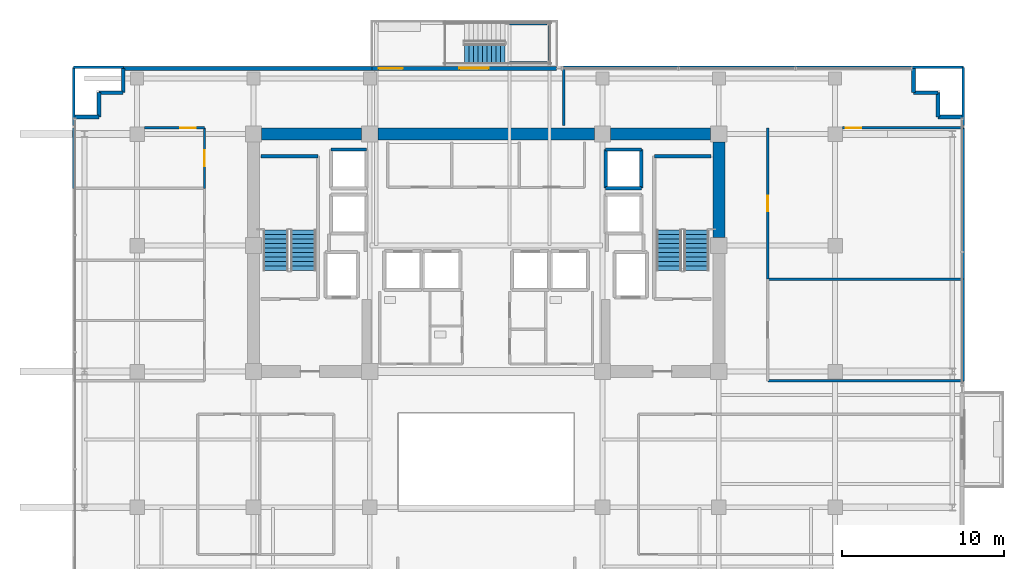
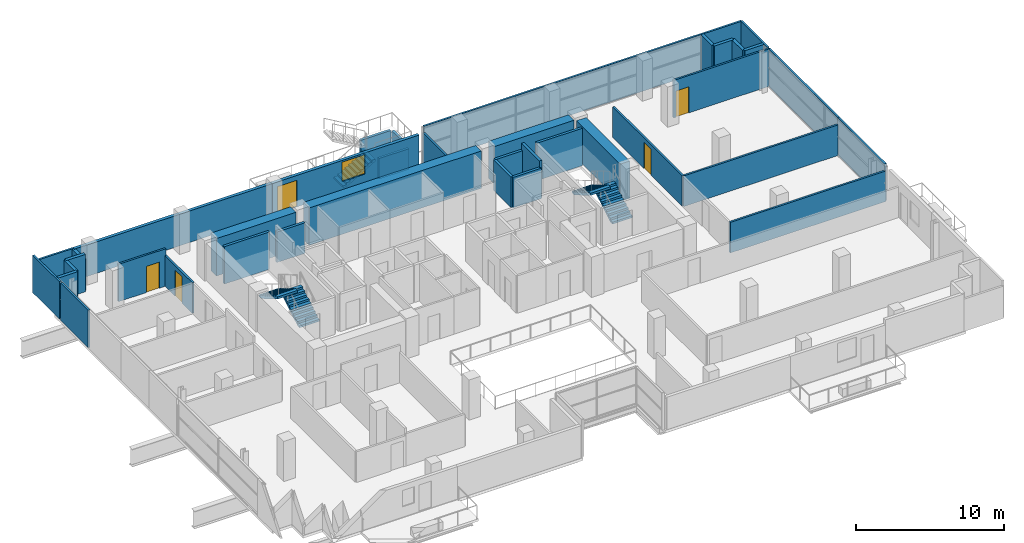
# One storey, part 21 of 27: 38 walls, 5 doors, 5 stair flights, 1 window, 6 openings, 3 elements without a shape of their own.
"""IFC4 building model written with IfcOpenShell, lengths in metres."""

from ifc_helpers import new_model, si_unit, direction, frame, frame_2d, origin, place, context, subcontext, project, spatial, polyline, rectangle, outline, extrude, source, transform, mapped, material, layer, layer_set, type_object, element, fill, aggregate, save


model = new_model("IFC4")

# Units and contexts
model_context = context("Model", 3, precision=1e-05, world=origin(), true_north=direction((0.0, 1.0)))
body_context = subcontext(model_context, "Body", "Model", "MODEL_VIEW")
ifc_project = project(units=[si_unit("LENGTHUNIT", "METRE"), si_unit("AREAUNIT", "SQUARE_METRE"), si_unit("VOLUMEUNIT", "CUBIC_METRE"), si_unit("PLANEANGLEUNIT", "RADIAN"), si_unit("MASSUNIT", "GRAM", prefix="KILO")], contexts=[model_context])

# Site, building, storey
site_placement = place(None, origin())
site = spatial("IfcSite", under=ifc_project, at=site_placement, CompositionType="ELEMENT")
building_placement = place(site_placement, origin())
building = spatial("IfcBuilding", under=site, at=building_placement, Name="Zarnakvel Exchange Tower", CompositionType="ELEMENT")
storey_placement = place(building_placement, frame((0.0, 0.0, 113.199951171875)))
storey = spatial("IfcBuildingStorey", under=building, at=storey_placement, Name="L31", CompositionType="ELEMENT", Elevation=113.199951171875)

# Walls
ifc_material_1 = material(Name="Concrete C60/75", Category="concrete")
ifc_layer_1 = layer(ifc_material_1, 0.75)
ifc_layer_set_1 = layer_set([ifc_layer_1], Name="Concrete C60/75")
wall_type_1 = type_object("IfcWallType", Name="CW-C3", PredefinedType="SHEAR", material=ifc_layer_set_1)
wall_1_placement = place(storey_placement, frame((-13.89990234375, 13.5, 0.0), z_axis=(0.0, 0.0, 1.0), x_axis=(1.0, 0.0, 0.0)))
element("IfcWall", 1, at=wall_1_placement, inside=storey, type_object=wall_type_1, Name="L31 Rear Core Shear Wall N1 (CW-C3)", PredefinedType="SHEAR", context=body_context, shape_type="SweptSolid", body=[
    extrude(rectangle(XDim=6.199951171875, YDim=0.75, at=frame_2d((3.10009765625, 0.0))), origin(), (0.0, 0.0, 1.0), 3.074951171875),
])
wall_2_placement = place(storey_placement, frame((-6.699951171875, 13.5, 0.0), z_axis=(0.0, 0.0, 1.0), x_axis=(1.0, 0.0, 0.0)))
element("IfcWall", 2, at=wall_2_placement, inside=storey, type_object=wall_type_1, Name="L31 Rear Core Shear Wall N2 (CW-C3)", PredefinedType="SHEAR", context=body_context, shape_type="SweptSolid", body=[
    extrude(rectangle(XDim=13.39990234375, YDim=0.75, at=frame_2d((6.699951171875, 0.0))), origin(), (0.0, 0.0, 1.0), 3.074951171875),
])
wall_3_placement = place(storey_placement, frame((7.699951171875, 13.5, 0.0), z_axis=(0.0, 0.0, 1.0), x_axis=(1.0, 0.0, 0.0)))
element("IfcWall", 3, at=wall_3_placement, inside=storey, type_object=wall_type_1, Name="L31 Rear Core Shear Wall N3 (CW-C3)", PredefinedType="SHEAR", context=body_context, shape_type="SweptSolid", body=[
    extrude(rectangle(XDim=6.199951171875, YDim=0.75, at=frame_2d((3.10009765625, 0.0))), origin(), (0.0, 0.0, 1.0), 3.074951171875),
])
wall_4_placement = place(storey_placement, frame((14.39990234375, 7.10009765625, 0.0), z_axis=(0.0, 0.0, 1.0), x_axis=(0.0, 1.0, 0.0)))
element("IfcWall", 4, at=wall_4_placement, inside=storey, type_object=wall_type_1, Name="L31 Rear Core Shear Wall E2 (CW-C3)", PredefinedType="SHEAR", context=body_context, shape_type="SweptSolid", body=[
    extrude(rectangle(XDim=5.89990234375, YDim=0.75, at=frame_2d((2.949951171875, 0.0))), origin(), (0.0, 0.0, 1.0), 3.074951171875),
])

# Wall, openings, door, window
ifc_material_2 = material(Name="Precast concrete C40/50", Category="concrete")
ifc_layer_2 = layer(ifc_material_2, 0.239990234375)
ifc_layer_set_2 = layer_set([ifc_layer_2], Name="Precast concrete C40/50")
wall_type_2 = type_object("IfcWallType", Name="EW-02", PredefinedType="SOLIDWALL", material=ifc_layer_set_2)
wall_5_placement = place(storey_placement, frame((-7.050048828125, 17.56005859375, 0.0), z_axis=(0.0, 0.0, 1.0), x_axis=(1.0, 0.0, 0.0)))
wall_5 = element("IfcWall", 5, at=wall_5_placement, inside=storey, type_object=wall_type_2, Name="L31 Exterior Precast Spandrel Wall EW-SPTER-L31 (EW-02)", PredefinedType="SOLIDWALL", context=body_context, shape_type="SweptSolid", body=[
    extrude(rectangle(XDim=11.400146484375, YDim=0.239990234375, at=frame_2d((5.7001953125, 0.0))), origin(), (0.0, 0.0, 1.0), 2.590087890625),
])
opening_1_placement = place(wall_5_placement, frame((0.39990234375, 0.0, 0.0)))
opening_1 = element("IfcOpeningElement", 6, at=opening_1_placement, cuts=wall_5, Name="Opening TD-L31-SP", PredefinedType="OPENING", context=body_context, shape_type="SweptSolid", body=[
    extrude(rectangle(XDim=1.5, YDim=2.199951171875, at=frame_2d((0.75, 1.10009765625))), frame((0.0, 0.1298828125, 0.0), z_axis=(0.0, -1.0, 0.0), x_axis=(1.0, 0.0, 0.0)), (0.0, 0.0, 1.0), 0.260009765625),
])
opening_2_placement = place(wall_5_placement, frame((5.39990234375, 0.0, 0.85009765625)))
opening_2 = element("IfcOpeningElement", 7, at=opening_2_placement, cuts=wall_5, Name="Opening WN-05", PredefinedType="OPENING", context=body_context, shape_type="SweptSolid", body=[
    extrude(rectangle(XDim=1.800048828125, YDim=1.60009765625, at=frame_2d((0.89990234375, 0.800048828125))), frame((0.0, 0.1298828125, 0.0), z_axis=(0.0, -1.0, 0.0), x_axis=(1.0, 0.0, 0.0)), (0.0, 0.0, 1.0), 0.260009765625),
])
ifc_material_3 = material(Name="Architectural Bronze Anodised Aluminium", Category="aluminium")
door_type_1 = type_object("IfcDoorType", Name="DT-10", OperationType="NOTDEFINED", PredefinedType="DOOR", material=ifc_material_3)
shared_shape_1 = source(origin(), body_context, "Body", "SweptSolid", [
    extrude(rectangle(XDim=1.5, YDim=2.199951171875, at=frame_2d((0.75, 1.10009765625))), frame((0.0, 0.02490234375, 0.0), z_axis=(0.0, -1.0, 0.0), x_axis=(1.0, 0.0, 0.0)), (0.0, 0.0, 1.0), 0.050048828125),
])
door_1_placement = place(opening_1_placement, origin())
door_1 = element("IfcDoor", 8, at=door_1_placement, inside=storey, type_object=door_type_1, Name="L31 Spiral Sky-Terrace Access Door TD-L31-SP", OperationType="DOUBLE_DOOR_SINGLE_SWING", OverallHeight=2.199951171875, OverallWidth=1.5, PredefinedType="DOOR", context=body_context, shape_type="MappedRepresentation", body=[
    mapped(shared_shape_1, transform((0.0, 0.0, 0.0), x_axis=(1.0, 0.0, 0.0), y_axis=(0.0, 1.0, 0.0), z_axis=(0.0, 0.0, 1.0), scale=1.0)),
])
fill(opening_1, door_1)
ifc_material_4 = material(Name="Double Low-E Laminated Vision Glass", Category="glass")
window_type = type_object("IfcWindowType", Name="WN-05", PartitioningType="SINGLE_PANEL", PredefinedType="WINDOW", material=ifc_material_4)
shared_shape_2 = source(origin(), body_context, "Body", "SweptSolid", [
    extrude(rectangle(XDim=1.800048828125, YDim=1.60009765625, at=frame_2d((0.89990234375, 0.800048828125))), frame((0.0, 0.030029296875, 0.0), z_axis=(0.0, -1.0, 0.0), x_axis=(1.0, 0.0, 0.0)), (0.0, 0.0, 1.0), 0.06005859375),
])
window_placement = place(opening_2_placement, origin())
window = element("IfcWindow", 9, at=window_placement, inside=storey, type_object=window_type, Name="L31 Spiral Sky-Terrace Lounge Window", OverallHeight=1.60009765625, OverallWidth=1.800048828125, PartitioningType="SINGLE_PANEL", PredefinedType="WINDOW", context=body_context, shape_type="MappedRepresentation", body=[
    mapped(shared_shape_2, transform((0.0, 0.0, 0.0), x_axis=(1.0, 0.0, 0.0), y_axis=(0.0, 1.0, 0.0), z_axis=(0.0, 0.0, 1.0), scale=1.0)),
])
fill(opening_2, window)

# Walls
for number, where, z_axis, x_axis, name in (
    (10, (-23.9599609375, 14.56005859375, 0.0), (0.0, 0.0, 1.0), (-1.0, 0.0, 0.0), "L31 Exterior Precast Spandrel Wall EWC-L31-01 (EW-02)"),
    (11, (-23.9599609375, 16.06005859375, 0.0), (0.0, 0.0, 1.0), (0.0, -1.0, 0.0), "L31 Exterior Precast Spandrel Wall EWC-L31-02 (EW-02)"),
    (12, (-22.4599609375, 16.06005859375, 0.0), (0.0, 0.0, 1.0), (-1.0, 0.0, 0.0), "L31 Exterior Precast Spandrel Wall EWC-L31-03 (EW-02)"),
):
    element("IfcWall", number, at=place(storey_placement, frame(where, z_axis=z_axis, x_axis=x_axis)), inside=storey, type_object=wall_type_2, Name=name, PredefinedType="SOLIDWALL", context=body_context, shape_type="SweptSolid", body=[
        extrude(rectangle(XDim=1.5, YDim=0.239990234375, at=frame_2d((0.75, 0.0))), origin(), (0.0, 0.0, 1.0), 3.074951171875),
    ])
wall_6_placement = place(storey_placement, frame((-22.4599609375, 17.56005859375, 0.0), z_axis=(0.0, 0.0, 1.0), x_axis=(0.0, -1.0, 0.0)))
element("IfcWall", 13, at=wall_6_placement, inside=storey, type_object=wall_type_2, Name="L31 Exterior Precast Spandrel Wall EWC-L31-04 (EW-02)", PredefinedType="SOLIDWALL", context=body_context, shape_type="SweptSolid", body=[
    extrude(rectangle(XDim=1.5, YDim=0.239990234375, at=frame_2d((0.75, 0.0))), origin(), (0.0, 0.0, 1.0), 2.56494140625),
])
wall_7_placement = place(storey_placement, frame((-7.050048828125, 17.56005859375, 0.0), z_axis=(0.0, 0.0, 1.0), x_axis=(-1.0, 0.0, 0.0)))
element("IfcWall", 14, at=wall_7_placement, inside=storey, type_object=wall_type_2, Name="L31 Exterior Precast Spandrel Wall EWC-L31-05 (EW-02)", PredefinedType="SOLIDWALL", context=body_context, shape_type="SweptSolid", body=[
    extrude(rectangle(XDim=15.409912109375, YDim=0.239990234375, at=frame_2d((7.705078125, 0.0))), origin(), (0.0, 0.0, 1.0), 2.590087890625),
])
for number, where, z_axis, x_axis, name in (
    (15, (26.4599609375, 16.06005859375, 0.0), (0.0, 0.0, 1.0), (0.0, 1.0, 0.0), "L31 Exterior Precast Spandrel Wall EWC-L31-07 (EW-02)"),
    (16, (27.9599609375, 16.06005859375, 0.0), (0.0, 0.0, 1.0), (-1.0, 0.0, 0.0), "L31 Exterior Precast Spandrel Wall EWC-L31-08 (EW-02)"),
    (17, (27.9599609375, 14.56005859375, 0.0), (0.0, 0.0, 1.0), (0.0, 1.0, 0.0), "L31 Exterior Precast Spandrel Wall EWC-L31-09 (EW-02)"),
    (18, (29.4599609375, 14.56005859375, 0.0), (0.0, 0.0, 1.0), (-1.0, 0.0, 0.0), "L31 Exterior Precast Spandrel Wall EWC-L31-10 (EW-02)"),
):
    element("IfcWall", number, at=place(storey_placement, frame(where, z_axis=z_axis, x_axis=x_axis)), inside=storey, type_object=wall_type_2, Name=name, PredefinedType="SOLIDWALL", context=body_context, shape_type="SweptSolid", body=[
        extrude(rectangle(XDim=1.5, YDim=0.239990234375, at=frame_2d((0.75, 0.0))), origin(), (0.0, 0.0, 1.0), 3.074951171875),
    ])

# Wall, opening, door
ifc_material_5 = material(Name="Fire-Rated Gypsum Stud Partition", Category="gypsum")
ifc_layer_3 = layer(ifc_material_5, 0.14990234375)
ifc_layer_set_3 = layer_set([ifc_layer_3], Name="Fire-Rated Gypsum Stud Partition")
wall_type_3 = type_object("IfcWallType", Name="PT-01", PredefinedType="PARTITIONING", material=ifc_layer_set_3)
wall_8_placement = place(storey_placement, frame((-21.1298828125, 13.8798828125, 0.0), z_axis=(0.0, 0.0, 1.0), x_axis=(1.0, 0.0, 0.0)))
wall_8 = element("IfcWall", 19, at=wall_8_placement, inside=storey, type_object=wall_type_3, Name="L31 Partition Wall PWALL-L31-061 (PT-01)", PredefinedType="PARTITIONING", context=body_context, shape_type="SweptSolid", body=[
    extrude(rectangle(XDim=3.699951171875, YDim=0.14990234375, at=frame_2d((1.85009765625, 0.0))), origin(), (0.0, 0.0, 1.0), 3.074951171875),
])
opening_3_placement = place(wall_8_placement, frame((2.18994140625, 0.0, 0.0)))
opening_3 = element("IfcOpeningElement", 20, at=opening_3_placement, cuts=wall_8, Name="Opening D-L31-25", PredefinedType="OPENING", context=body_context, shape_type="SweptSolid", body=[
    extrude(rectangle(XDim=0.97998046875, YDim=2.14990234375, at=frame_2d((0.489990234375, 1.074951171875))), frame((0.0, 0.0849609375, 0.0), z_axis=(0.0, -1.0, 0.0), x_axis=(1.0, 0.0, 0.0)), (0.0, 0.0, 1.0), 0.169921875),
])
ifc_material_6 = material(Name="Timber Acoustic Veneer", Category="wood")
door_type_2 = type_object("IfcDoorType", Name="DT-05", OperationType="NOTDEFINED", PredefinedType="DOOR", material=ifc_material_6)
shared_shape_3 = source(origin(), body_context, "Body", "SweptSolid", [
    extrude(rectangle(XDim=0.97998046875, YDim=2.14990234375, at=frame_2d((0.489990234375, 1.074951171875))), frame((0.0, 0.02490234375, 0.0), z_axis=(0.0, -1.0, 0.0), x_axis=(1.0, 0.0, 0.0)), (0.0, 0.0, 1.0), 0.050048828125),
])
door_2_placement = place(opening_3_placement, origin())
door_2 = element("IfcDoor", 21, at=door_2_placement, inside=storey, type_object=door_type_2, Name="L31 Fintech Workspace Door D-L31-25", OperationType="SINGLE_SWING_LEFT", OverallHeight=2.14990234375, OverallWidth=0.97998046875, PredefinedType="DOOR", context=body_context, shape_type="MappedRepresentation", body=[
    mapped(shared_shape_3, transform((0.0, 0.0, 0.0), x_axis=(1.0, 0.0, 0.0), y_axis=(0.0, 1.0, 0.0), z_axis=(0.0, 0.0, 1.0), scale=1.0)),
])
fill(opening_3, door_2)

# Wall
wall_9_placement = place(storey_placement, frame((-25.530029296875, 10.146240234375, 0.0), z_axis=(0.0, 0.0, 1.0), x_axis=(0.0, 1.0, 0.0)))
element("IfcWall", 22, at=wall_9_placement, inside=storey, type_object=wall_type_3, Name="L31 Partition Wall PWALL-L31-062 (PT-01)", PredefinedType="PARTITIONING", context=body_context, shape_type="SweptSolid", body=[
    extrude(rectangle(XDim=3.733642578125, YDim=0.14990234375, at=frame_2d((1.86669921875, 0.0))), origin(), (0.0, 0.0, 1.0), 3.074951171875),
])

# Wall, opening, door
wall_10_placement = place(storey_placement, frame((-17.429931640625, 13.8798828125, 0.0), z_axis=(0.0, 0.0, 1.0), x_axis=(0.0, -1.0, 0.0)))
wall_10 = element("IfcWall", 23, at=wall_10_placement, inside=storey, type_object=wall_type_3, Name="L31 Partition Wall PWALL-L31-063 (PT-01)", PredefinedType="PARTITIONING", context=body_context, shape_type="SweptSolid", body=[
    extrude(rectangle(XDim=3.733642578125, YDim=0.14990234375, at=frame_2d((1.86669921875, 0.0))), origin(), (0.0, 0.0, 1.0), 2.51513671875),
])
opening_4_placement = place(wall_10_placement, frame((1.376953125, 0.0, 0.0)))
opening_4 = element("IfcOpeningElement", 24, at=opening_4_placement, cuts=wall_10, Name="Opening D-L31-22", PredefinedType="OPENING", context=body_context, shape_type="SweptSolid", body=[
    extrude(rectangle(XDim=0.97998046875, YDim=2.14990234375, at=frame_2d((0.489990234375, 1.074951171875))), frame((0.0, 0.0849609375, 0.0), z_axis=(0.0, -1.0, 0.0), x_axis=(1.0, 0.0, 0.0)), (0.0, 0.0, 1.0), 0.169921875),
])
door_3_placement = place(opening_4_placement, origin())
door_3 = element("IfcDoor", 25, at=door_3_placement, inside=storey, type_object=door_type_2, Name="L31 Breakout Lounge Door D-L31-22", OperationType="SINGLE_SWING_RIGHT", OverallHeight=2.14990234375, OverallWidth=0.97998046875, PredefinedType="DOOR", context=body_context, shape_type="MappedRepresentation", body=[
    mapped(shared_shape_3, transform((0.0, 0.0, 0.0), x_axis=(1.0, 0.0, 0.0), y_axis=(0.0, 1.0, 0.0), z_axis=(0.0, 0.0, 1.0), scale=1.0)),
])
fill(opening_4, door_3)

# Walls
for number, where, z_axis, x_axis, name in (
    (26, (29.530029296875, -1.77001953125, 0.0), (0.0, 0.0, 1.0), (-1.0, 0.0, 0.0), "L31 Partition Wall PWALL-L31-064 (PT-01)"),
    (27, (17.429931640625, 4.52197265625, 0.0), (0.0, 0.0, 1.0), (1.0, 0.0, 0.0), "L31 Partition Wall PWALL-L31-065 (PT-01)"),
):
    element("IfcWall", number, at=place(storey_placement, frame(where, z_axis=z_axis, x_axis=x_axis)), inside=storey, type_object=wall_type_3, Name=name, PredefinedType="PARTITIONING", context=body_context, shape_type="SweptSolid", body=[
        extrude(rectangle(XDim=12.10009765625, YDim=0.14990234375, at=frame_2d((6.050048828125, 0.0))), origin(), (0.0, 0.0, 1.0), 2.51513671875),
    ])
wall_11_placement = place(storey_placement, frame((29.530029296875, 4.52197265625, 0.0), z_axis=(0.0, 0.0, 1.0), x_axis=(0.0, -1.0, 0.0)))
element("IfcWall", 28, at=wall_11_placement, inside=storey, type_object=wall_type_3, Name="L31 Partition Wall PWALL-L31-067 (PT-01)", PredefinedType="PARTITIONING", context=body_context, shape_type="SweptSolid", body=[
    extrude(rectangle(XDim=6.2919921875, YDim=0.14990234375, at=frame_2d((3.14599609375, 0.0))), origin(), (0.0, 0.0, 1.0), 3.074951171875),
])

# Wall, opening, door
wall_12_placement = place(storey_placement, frame((22.070068359375, 13.8798828125, 0.0), z_axis=(0.0, 0.0, 1.0), x_axis=(1.0, 0.0, 0.0)))
wall_12 = element("IfcWall", 29, at=wall_12_placement, inside=storey, type_object=wall_type_3, Name="L31 Partition Wall PWALL-L31-068 (PT-01)", PredefinedType="PARTITIONING", context=body_context, shape_type="SweptSolid", body=[
    extrude(rectangle(XDim=7.4599609375, YDim=0.14990234375, at=frame_2d((3.72998046875, 0.0))), origin(), (0.0, 0.0, 1.0), 3.074951171875),
])
opening_5_placement = place(wall_12_placement, frame((0.179931640625, 0.0, 0.0)))
opening_5 = element("IfcOpeningElement", 30, at=opening_5_placement, cuts=wall_12, Name="Opening D-L31-26", PredefinedType="OPENING", context=body_context, shape_type="SweptSolid", body=[
    extrude(rectangle(XDim=0.97998046875, YDim=2.14990234375, at=frame_2d((0.489990234375, 1.074951171875))), frame((0.0, 0.0849609375, 0.0), z_axis=(0.0, -1.0, 0.0), x_axis=(1.0, 0.0, 0.0)), (0.0, 0.0, 1.0), 0.169921875),
])
door_4_placement = place(opening_5_placement, origin())
door_4 = element("IfcDoor", 31, at=door_4_placement, inside=storey, type_object=door_type_2, Name="L31 Breakout Lounge Door D-L31-26", OperationType="SINGLE_SWING_RIGHT", OverallHeight=2.14990234375, OverallWidth=0.97998046875, PredefinedType="DOOR", context=body_context, shape_type="MappedRepresentation", body=[
    mapped(shared_shape_3, transform((0.0, 0.0, 0.0), x_axis=(1.0, 0.0, 0.0), y_axis=(0.0, 1.0, 0.0), z_axis=(0.0, 0.0, 1.0), scale=1.0)),
])
fill(opening_5, door_4)

wall_13_placement = place(storey_placement, frame((17.429931640625, 4.52197265625, 0.0), z_axis=(0.0, 0.0, 1.0), x_axis=(0.0, 1.0, 0.0)))
wall_13 = element("IfcWall", 32, at=wall_13_placement, inside=storey, type_object=wall_type_3, Name="L31 Partition Wall PWALL-L31-069 (PT-01)", PredefinedType="PARTITIONING", context=body_context, shape_type="SweptSolid", body=[
    extrude(rectangle(XDim=9.35791015625, YDim=0.14990234375, at=frame_2d((4.678955078125, 0.0))), origin(), (0.0, 0.0, 1.0), 2.51513671875),
])
opening_6_placement = place(wall_13_placement, frame((4.18896484375, 0.0, 0.0)))
opening_6 = element("IfcOpeningElement", 33, at=opening_6_placement, cuts=wall_13, Name="Opening D-L31-24", PredefinedType="OPENING", context=body_context, shape_type="SweptSolid", body=[
    extrude(rectangle(XDim=0.97998046875, YDim=2.14990234375, at=frame_2d((0.489990234375, 1.074951171875))), frame((0.0, 0.0849609375, 0.0), z_axis=(0.0, -1.0, 0.0), x_axis=(1.0, 0.0, 0.0)), (0.0, 0.0, 1.0), 0.169921875),
])
door_5_placement = place(opening_6_placement, origin())
door_5 = element("IfcDoor", 34, at=door_5_placement, inside=storey, type_object=door_type_2, Name="L31 Fintech Workspace Door D-L31-24", OperationType="SINGLE_SWING_RIGHT", OverallHeight=2.14990234375, OverallWidth=0.97998046875, PredefinedType="DOOR", context=body_context, shape_type="MappedRepresentation", body=[
    mapped(shared_shape_3, transform((0.0, 0.0, 0.0), x_axis=(1.0, 0.0, 0.0), y_axis=(0.0, 1.0, 0.0), z_axis=(0.0, 0.0, 1.0), scale=1.0)),
])
fill(opening_6, door_5)

# Walls
wall_14_placement = place(storey_placement, frame((29.530029296875, 13.8798828125, 0.0), z_axis=(0.0, 0.0, 1.0), x_axis=(0.0, -1.0, 0.0)))
element("IfcWall", 35, at=wall_14_placement, inside=storey, type_object=wall_type_3, Name="L31 Partition Wall PWALL-L31-070 (PT-01)", PredefinedType="PARTITIONING", context=body_context, shape_type="SweptSolid", body=[
    extrude(rectangle(XDim=9.35791015625, YDim=0.14990234375, at=frame_2d((4.678955078125, 0.0))), origin(), (0.0, 0.0, 1.0), 3.074951171875),
])
wall_15_placement = place(storey_placement, frame((-25.530029296875, 17.6298828125, 0.0), z_axis=(0.0, 0.0, 1.0), x_axis=(1.0, 0.0, 0.0)))
element("IfcWall", 36, at=wall_15_placement, inside=storey, type_object=wall_type_3, Name="L31 Partition Wall PWALL-L31-071 (PT-01)", PredefinedType="PARTITIONING", context=body_context, shape_type="SweptSolid", body=[
    extrude(rectangle(XDim=3.070068359375, YDim=0.14990234375, at=frame_2d((1.53515625, 0.0))), origin(), (0.0, 0.0, 1.0), 2.590087890625),
])
wall_16_placement = place(storey_placement, frame((-25.530029296875, 14.030029296875, 0.0), z_axis=(0.0, 0.0, 1.0), x_axis=(0.0, 1.0, 0.0)))
element("IfcWall", 37, at=wall_16_placement, inside=storey, type_object=wall_type_3, Name="L31 Partition Wall PWALL-L31-073 (PT-01)", PredefinedType="PARTITIONING", context=body_context, shape_type="SweptSolid", body=[
    extrude(rectangle(XDim=3.599853515625, YDim=0.14990234375, at=frame_2d((1.7998046875, 0.0))), origin(), (0.0, 0.0, 1.0), 3.074951171875),
])
wall_17_placement = place(storey_placement, frame((4.800048828125, 17.6298828125, 0.0), z_axis=(0.0, 0.0, 1.0), x_axis=(0.0, -1.0, 0.0)))
element("IfcWall", 38, at=wall_17_placement, inside=storey, type_object=wall_type_3, Name="L31 Partition Wall PWALL-L31-074 (PT-01)", PredefinedType="PARTITIONING", context=body_context, shape_type="SweptSolid", body=[
    extrude(rectangle(XDim=3.599853515625, YDim=0.14990234375, at=frame_2d((1.7998046875, 0.0))), origin(), (0.0, 0.0, 1.0), 2.56494140625),
])
wall_18_placement = place(storey_placement, frame((4.800048828125, 17.6298828125, 0.0), z_axis=(0.0, 0.0, 1.0), x_axis=(1.0, 0.0, 0.0)))
element("IfcWall", 39, at=wall_18_placement, inside=storey, type_object=wall_type_3, Name="L31 Partition Wall PWALL-L31-075 (PT-01)", PredefinedType="PARTITIONING", context=body_context, shape_type="SweptSolid", body=[
    extrude(rectangle(XDim=24.72998046875, YDim=0.14990234375, at=frame_2d((12.364990234375, 0.0))), origin(), (0.0, 0.0, 1.0), 3.074951171875),
])
wall_19_placement = place(storey_placement, frame((29.530029296875, 17.6298828125, 0.0), z_axis=(0.0, 0.0, 1.0), x_axis=(0.0, -1.0, 0.0)))
element("IfcWall", 40, at=wall_19_placement, inside=storey, type_object=wall_type_3, Name="L31 Partition Wall PWALL-L31-076 (PT-01)", PredefinedType="PARTITIONING", context=body_context, shape_type="SweptSolid", body=[
    extrude(rectangle(XDim=3.599853515625, YDim=0.14990234375, at=frame_2d((1.7998046875, 0.0))), origin(), (0.0, 0.0, 1.0), 3.074951171875),
])
ifc_material_7 = material(Name="Concrete C40/50", Category="concrete")
ifc_layer_4 = layer(ifc_material_7, 0.199951171875)
ifc_layer_set_4 = layer_set([ifc_layer_4], Name="Concrete C40/50")
wall_type_4 = type_object("IfcWallType", Name="SW-01", PredefinedType="SOLIDWALL", material=ifc_layer_set_4)
for number, where, z_axis, x_axis, name in (
    (41, (-9.60009765625, 12.550048828125, 0.0), (0.0, 0.0, 1.0), (1.0, 0.0, 0.0), "L31 PL-10 Hoistway Wall North"),
    (42, (9.60009765625, 10.14990234375, 0.0), (0.0, 0.0, 1.0), (-1.0, 0.0, 0.0), "L31 PL-12 Hoistway Wall South"),
    (43, (7.39990234375, 12.550048828125, 0.0), (0.0, 0.0, 1.0), (1.0, 0.0, 0.0), "L31 PL-12 Hoistway Wall North"),
):
    element("IfcWall", number, at=place(storey_placement, frame(where, z_axis=z_axis, x_axis=x_axis)), inside=storey, type_object=wall_type_4, Name=name, PredefinedType="SOLIDWALL", context=body_context, shape_type="SweptSolid", body=[
        extrude(rectangle(XDim=2.2001953125, YDim=0.199951171875, at=frame_2d((1.10009765625, 0.0))), origin(), (0.0, 0.0, 1.0), 2.51513671875),
    ])
wall_20_placement = place(storey_placement, frame((7.39990234375, 10.14990234375, 0.0), z_axis=(0.0, 0.0, 1.0), x_axis=(0.0, 1.0, 0.0)))
element("IfcWall", 44, at=wall_20_placement, inside=storey, type_object=wall_type_4, Name="L31 PL-12 Hoistway Wall West", PredefinedType="SOLIDWALL", context=body_context, shape_type="SweptSolid", body=[
    extrude(rectangle(XDim=2.400146484375, YDim=0.199951171875, at=frame_2d((1.2001953125, 0.0))), origin(), (0.0, 0.0, 1.0), 2.51513671875),
])
wall_21_placement = place(storey_placement, frame((9.60009765625, 12.550048828125, 0.0), z_axis=(0.0, 0.0, 1.0), x_axis=(0.0, -1.0, 0.0)))
element("IfcWall", 45, at=wall_21_placement, inside=storey, type_object=wall_type_4, Name="L31 PL-12 Hoistway Wall East", PredefinedType="SOLIDWALL", context=body_context, shape_type="SweptSolid", body=[
    extrude(rectangle(XDim=2.400146484375, YDim=0.199951171875, at=frame_2d((1.2001953125, 0.0))), origin(), (0.0, 0.0, 1.0), 3.074951171875),
])
ifc_layer_5 = layer(ifc_material_7, 0.199951171875)
ifc_layer_set_5 = layer_set([ifc_layer_5], Name="Concrete C40/50")
wall_type_5 = type_object("IfcWallType", Name="SW-02", PredefinedType="SOLIDWALL", material=ifc_layer_set_5)
wall_22_placement = place(storey_placement, frame((3.919921875, 18.0400390625, -0.25), z_axis=(0.0, 0.0, 1.0), x_axis=(0.0, 1.0, 0.0)))
element("IfcWall", 46, at=wall_22_placement, inside=storey, type_object=wall_type_5, Name="L31 Sky-Terrace Stair ST-10 Landing Plinth Wall E", PredefinedType="SOLIDWALL", context=body_context, shape_type="SweptSolid", body=[
    extrude(rectangle(XDim=2.179931640625, YDim=0.199951171875, at=frame_2d((1.08984375, 0.0))), origin(), (0.0, 0.0, 1.0), 1.699951171875),
])
for number, where, z_axis, x_axis, name in (
    (47, (1.449951171875, 17.89990234375, -0.25), (0.0, 0.0, 1.0), (1.0, 0.0, 0.0), "L31 Sky-Terrace Stair ST-10 Landing Plinth Wall S"),
    (48, (1.449951171875, 20.360107421875, -0.25), (0.0, 0.0, 1.0), (1.0, 0.0, 0.0), "L31 Sky-Terrace Stair ST-10 Landing Plinth Wall N"),
):
    element("IfcWall", number, at=place(storey_placement, frame(where, z_axis=z_axis, x_axis=x_axis)), inside=storey, type_object=wall_type_5, Name=name, PredefinedType="SOLIDWALL", context=body_context, shape_type="SweptSolid", body=[
        extrude(rectangle(XDim=2.330078125, YDim=0.199951171875, at=frame_2d((1.1650390625, 0.0))), origin(), (0.0, 0.0, 1.0), 1.699951171875),
    ])
for number, where, z_axis, x_axis, name in (
    (49, (-13.929931640625, 12.1298828125, 0.0), (0.0, 0.0, 1.0), (1.0, 0.0, 0.0), "L31 Stairwell Core Wall PWALL-L31-002 (SW-02)"),
    (50, (10.409912109375, 12.1298828125, 0.0), (0.0, 0.0, 1.0), (1.0, 0.0, 0.0), "L31 Stairwell Core Wall PWALL-L31-005 (SW-02)"),
):
    element("IfcWall", number, at=place(storey_placement, frame(where, z_axis=z_axis, x_axis=x_axis)), inside=storey, type_object=wall_type_5, Name=name, PredefinedType="SOLIDWALL", context=body_context, shape_type="SweptSolid", body=[
        extrude(rectangle(XDim=3.52001953125, YDim=0.199951171875, at=frame_2d((1.760009765625, 0.0))), origin(), (0.0, 0.0, 1.0), 3.074951171875),
    ])

# Stair, stair flights
stair_type_1 = type_object("IfcStairType", Name="STR-01", PredefinedType="HALF_TURN_STAIR", material=ifc_material_7)
stair_1_placement = place(storey_placement, origin())
stair_1 = element("IfcStair", 51, at=stair_1_placement, inside=storey, type_object=stair_type_1, Name="L31 Protected Core Exit Stair ST-01", PredefinedType="HALF_TURN_STAIR")
stair_flight_type_1 = type_object("IfcStairFlightType", Name="FLT-01", PredefinedType="STRAIGHT", material=ifc_material_7)
stair_flight_1_placement = place(storey_placement, frame((-11.31494140625, 5.050048828125, 0.0), z_axis=(0.0, 0.0, 1.0), x_axis=(0.0, 1.0, 0.0)))
stair_flight_1 = element("IfcStairFlight", 52, at=stair_flight_1_placement, type_object=stair_flight_type_1, Name="ST-01 flight 1", NumberOfRisers=10, NumberOfTreads=9, PredefinedType="STRAIGHT", RiserHeight=0.165, TreadLength=0.28, context=body_context, shape_type="SweptSolid", body=[
    extrude(outline(polyline([(0.0, 0.0), (0.0, 0.1650390625), (0.280029296875, 0.1650390625), (0.280029296875, 0.330078125), (0.56005859375, 0.330078125), (0.56005859375, 0.4951171875), (0.840087890625, 0.4951171875), (0.840087890625, 0.659912109375), (1.1201171875, 0.659912109375), (1.1201171875, 0.824951171875), (1.39990234375, 0.824951171875), (1.39990234375, 0.989990234375), (1.679931640625, 0.989990234375), (1.679931640625, 1.155029296875), (1.9599609375, 1.155029296875), (1.9599609375, 1.320068359375), (2.239990234375, 1.320068359375), (2.239990234375, 1.485107421875), (2.52001953125, 1.485107421875), (2.52001953125, 1.64990234375), (2.52001953125, 1.31103515625), (0.295166015625, 0.0), (0.0, 0.0)])), frame((0.0, 0.77490234375, 0.0), z_axis=(0.0, -1.0, 0.0), x_axis=(1.0, 0.0, 0.0)), (0.0, 0.0, 1.0), 1.550048828125),
])
stair_flight_2_placement = place(storey_placement, frame((-13.02490234375, 7.570068359375, 1.650146484375), z_axis=(0.0, 0.0, 1.0), x_axis=(0.0, -1.0, 0.0)))
stair_flight_2 = element("IfcStairFlight", 53, at=stair_flight_2_placement, type_object=stair_flight_type_1, Name="ST-01 flight 2", NumberOfRisers=10, NumberOfTreads=9, PredefinedType="STRAIGHT", RiserHeight=0.165, TreadLength=0.28, context=body_context, shape_type="SweptSolid", body=[
    extrude(outline(polyline([(0.0, 0.0), (0.0, 0.1650390625), (0.280029296875, 0.1650390625), (0.280029296875, 0.330078125), (0.56005859375, 0.330078125), (0.56005859375, 0.4951171875), (0.840087890625, 0.4951171875), (0.840087890625, 0.659912109375), (1.1201171875, 0.659912109375), (1.1201171875, 0.824951171875), (1.39990234375, 0.824951171875), (1.39990234375, 0.989990234375), (1.679931640625, 0.989990234375), (1.679931640625, 1.155029296875), (1.9599609375, 1.155029296875), (1.9599609375, 1.320068359375), (2.239990234375, 1.320068359375), (2.239990234375, 1.485107421875), (2.52001953125, 1.485107421875), (2.52001953125, 1.64990234375), (2.52001953125, 1.31103515625), (0.295166015625, 0.0), (0.0, 0.0)])), frame((0.0, 0.77490234375, 0.0), z_axis=(0.0, -1.0, 0.0), x_axis=(1.0, 0.0, 0.0)), (0.0, 0.0, 1.0), 1.550048828125),
])
aggregate(stair_1, [stair_flight_1, stair_flight_2])

stair_2_placement = place(storey_placement, origin())
stair_2 = element("IfcStair", 54, at=stair_2_placement, inside=storey, type_object=stair_type_1, Name="L31 Protected Core Exit Stair ST-02", PredefinedType="HALF_TURN_STAIR")
stair_flight_3_placement = place(storey_placement, frame((13.02490234375, 5.050048828125, 0.0), z_axis=(0.0, 0.0, 1.0), x_axis=(0.0, 1.0, 0.0)))
stair_flight_3 = element("IfcStairFlight", 55, at=stair_flight_3_placement, type_object=stair_flight_type_1, Name="ST-02 flight 1", NumberOfRisers=10, NumberOfTreads=9, PredefinedType="STRAIGHT", RiserHeight=0.165, TreadLength=0.28, context=body_context, shape_type="SweptSolid", body=[
    extrude(outline(polyline([(0.0, 0.0), (0.0, 0.1650390625), (0.280029296875, 0.1650390625), (0.280029296875, 0.330078125), (0.56005859375, 0.330078125), (0.56005859375, 0.4951171875), (0.840087890625, 0.4951171875), (0.840087890625, 0.659912109375), (1.1201171875, 0.659912109375), (1.1201171875, 0.824951171875), (1.39990234375, 0.824951171875), (1.39990234375, 0.989990234375), (1.679931640625, 0.989990234375), (1.679931640625, 1.155029296875), (1.9599609375, 1.155029296875), (1.9599609375, 1.320068359375), (2.239990234375, 1.320068359375), (2.239990234375, 1.485107421875), (2.52001953125, 1.485107421875), (2.52001953125, 1.64990234375), (2.52001953125, 1.31103515625), (0.295166015625, 0.0), (0.0, 0.0)])), frame((0.0, 0.77490234375, 0.0), z_axis=(0.0, -1.0, 0.0), x_axis=(1.0, 0.0, 0.0)), (0.0, 0.0, 1.0), 1.550048828125),
])
stair_flight_4_placement = place(storey_placement, frame((11.31494140625, 7.570068359375, 1.650146484375), z_axis=(0.0, 0.0, 1.0), x_axis=(0.0, -1.0, 0.0)))
stair_flight_4 = element("IfcStairFlight", 56, at=stair_flight_4_placement, type_object=stair_flight_type_1, Name="ST-02 flight 2", NumberOfRisers=10, NumberOfTreads=9, PredefinedType="STRAIGHT", RiserHeight=0.165, TreadLength=0.28, context=body_context, shape_type="SweptSolid", body=[
    extrude(outline(polyline([(0.0, 0.0), (0.0, 0.1650390625), (0.280029296875, 0.1650390625), (0.280029296875, 0.330078125), (0.56005859375, 0.330078125), (0.56005859375, 0.4951171875), (0.840087890625, 0.4951171875), (0.840087890625, 0.659912109375), (1.1201171875, 0.659912109375), (1.1201171875, 0.824951171875), (1.39990234375, 0.824951171875), (1.39990234375, 0.989990234375), (1.679931640625, 0.989990234375), (1.679931640625, 1.155029296875), (1.9599609375, 1.155029296875), (1.9599609375, 1.320068359375), (2.239990234375, 1.320068359375), (2.239990234375, 1.485107421875), (2.52001953125, 1.485107421875), (2.52001953125, 1.64990234375), (2.52001953125, 1.31103515625), (0.295166015625, 0.0), (0.0, 0.0)])), frame((0.0, 0.77490234375, 0.0), z_axis=(0.0, -1.0, 0.0), x_axis=(1.0, 0.0, 0.0)), (0.0, 0.0, 1.0), 1.550048828125),
])
aggregate(stair_2, [stair_flight_3, stair_flight_4])

# Stair, stair flight
stair_type_2 = type_object("IfcStairType", Name="STR-05", PredefinedType="HALF_TURN_STAIR", material=ifc_material_7)
stair_3_placement = place(storey_placement, origin())
stair_3 = element("IfcStair", 57, at=stair_3_placement, inside=storey, type_object=stair_type_2, Name="L31 Spiral Sky-Terrace Connecting Stair ST-10", PredefinedType="HALF_TURN_STAIR")
stair_flight_type_2 = type_object("IfcStairFlightType", Name="FLT-05", PredefinedType="STRAIGHT", material=ifc_material_7)
stair_flight_5_placement = place(storey_placement, frame((-1.35009765625, 18.445068359375, 0.0), z_axis=(0.0, 0.0, 1.0), x_axis=(1.0, 0.0, 0.0)))
stair_flight_5 = element("IfcStairFlight", 58, at=stair_flight_5_placement, type_object=stair_flight_type_2, Name="ST-10 flight 1", NumberOfRisers=10, NumberOfTreads=9, PredefinedType="STRAIGHT", RiserHeight=0.165, TreadLength=0.28, context=body_context, shape_type="SweptSolid", body=[
    extrude(outline(polyline([(0.0, 0.0), (0.0, 0.1650390625), (0.280029296875, 0.1650390625), (0.280029296875, 0.330078125), (0.56005859375, 0.330078125), (0.56005859375, 0.4951171875), (0.840087890625, 0.4951171875), (0.840087890625, 0.659912109375), (1.1201171875, 0.659912109375), (1.1201171875, 0.824951171875), (1.39990234375, 0.824951171875), (1.39990234375, 0.989990234375), (1.679931640625, 0.989990234375), (1.679931640625, 1.155029296875), (1.9599609375, 1.155029296875), (1.9599609375, 1.320068359375), (2.239990234375, 1.320068359375), (2.239990234375, 1.485107421875), (2.52001953125, 1.485107421875), (2.52001953125, 1.64990234375), (2.52001953125, 1.31103515625), (0.295166015625, 0.0), (0.0, 0.0)])), frame((0.0, 0.625, 0.0), z_axis=(0.0, -1.0, 0.0), x_axis=(1.0, 0.0, 0.0)), (0.0, 0.0, 1.0), 1.25),
])
aggregate(stair_3, [stair_flight_5])

save(model, "model.ifc")
